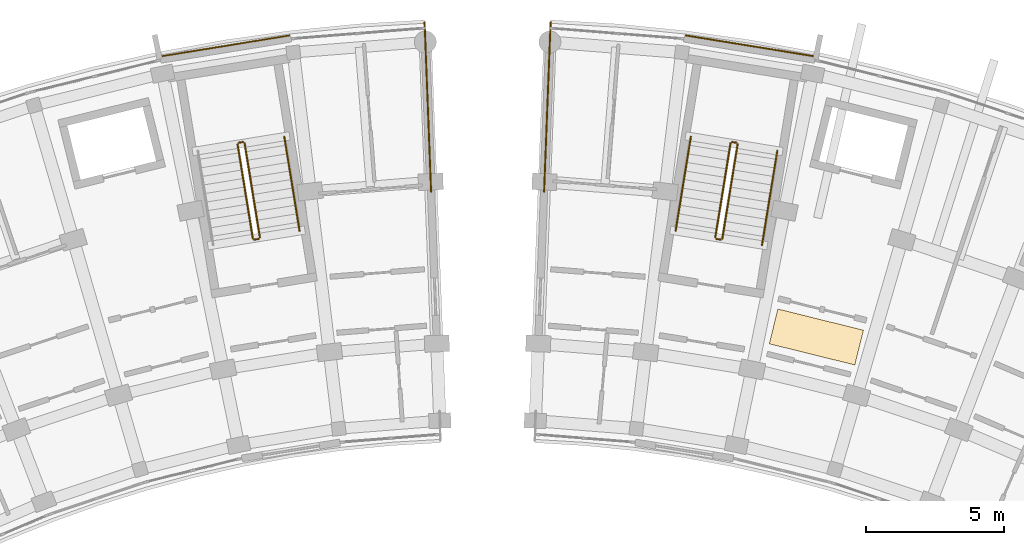
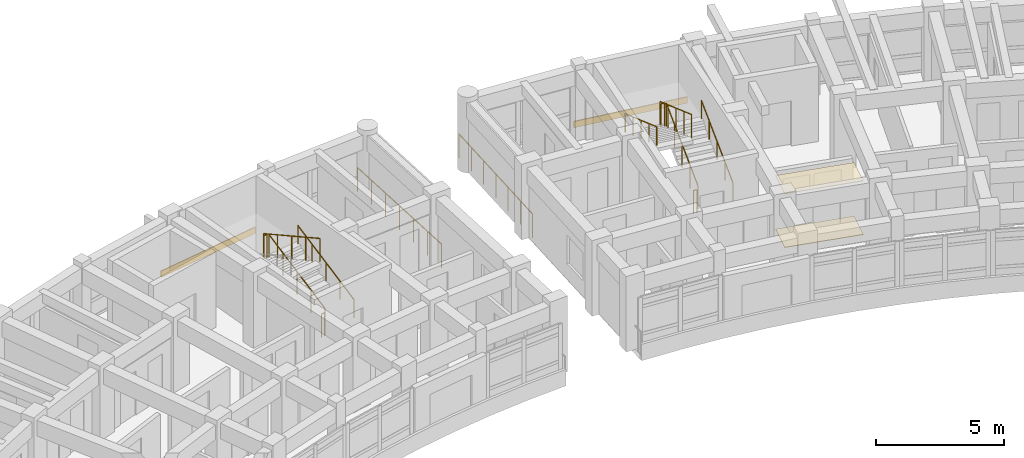
# One storey, part 76 of 83: 13 railings, 4 coverings.
"""IFC4 building model written with IfcOpenShell, lengths in metres."""

from ifc_helpers import new_model, si_unit, direction, frame, origin, origin_2d, place, context, subcontext, project, spatial, rectangle, circle, extrude, material, layer, layer_set, type_object, element, save


model = new_model("IFC4")

# Units and contexts
model_context = context("Model", 3, precision=1e-05, world=origin(), true_north=direction((0.0, 1.0)))
body_context = subcontext(model_context, "Body", "Model", "MODEL_VIEW")
ifc_project = project(units=[si_unit("LENGTHUNIT", "METRE"), si_unit("AREAUNIT", "SQUARE_METRE"), si_unit("VOLUMEUNIT", "CUBIC_METRE"), si_unit("PLANEANGLEUNIT", "RADIAN"), si_unit("MASSUNIT", "GRAM", prefix="KILO")], contexts=[model_context])

# Site, building, storey
site_placement = place(None, origin())
site = spatial("IfcSite", under=ifc_project, at=site_placement, CompositionType="ELEMENT")
building_placement = place(site_placement, origin())
building = spatial("IfcBuilding", under=site, at=building_placement, Name="Zimvara Arc Housing Community", CompositionType="ELEMENT")
storey_placement = place(building_placement, frame((0.0, 0.0, 4.5)))
storey = spatial("IfcBuildingStorey", under=building, at=storey_placement, Name="L01", CompositionType="ELEMENT", Elevation=4.5)

# Coverings
ifc_material_1 = material(Name="Pale-Gold Anodised Aluminium Cladding", Category="aluminium")
ifc_layer_1 = layer(ifc_material_1, 0.0400390625)
ifc_layer_set_1 = layer_set([ifc_layer_1], Name="Pale-Gold Anodised Aluminium Cladding")
covering_type_1 = type_object("IfcCoveringType", Name="CLD-GOLD-01", PredefinedType="CLADDING", material=ifc_layer_set_1)
covering_1_placement = place(storey_placement, frame((35.47265625, 103.1943359375, 0.009765625), z_axis=(0.0, 0.0, 1.0), x_axis=(0.987080395872, 0.160225753504, 0.0)))
element("IfcCovering", 1, at=covering_1_placement, inside=storey, type_object=covering_type_1, Name="cld:blkA:L01:out:b8", PredefinedType="CLADDING", context=body_context, shape_type="SweptSolid", body=[
    extrude(rectangle(XDim=4.748779296875, YDim=0.0400390625, at=origin_2d()), origin(), (0.0, 0.0, 1.0), 0.300048828125),
])
ifc_material_2 = material(Name="Pale-Gold Anodised Aluminium Cladding", Category="aluminium")
ifc_layer_2 = layer(ifc_material_2, 0.044921875)
ifc_layer_set_2 = layer_set([ifc_layer_2], Name="Pale-Gold Anodised Aluminium Cladding")
covering_type_2 = type_object("IfcCoveringType", Name="CLD-GOLD-02", PredefinedType="CLADDING", material=ifc_layer_set_2)
covering_2_placement = place(storey_placement, frame((54.52783203125, 103.19677734375, 0.009765625), z_axis=(0.0, 0.0, 1.0), x_axis=(0.987080395872, -0.160225753504, 0.0)))
element("IfcCovering", 2, at=covering_2_placement, inside=storey, type_object=covering_type_2, Name="cld:blkB:L01:out:b1", PredefinedType="CLADDING", context=body_context, shape_type="SweptSolid", body=[
    extrude(rectangle(XDim=4.748779296875, YDim=0.044921875, at=origin_2d()), origin(), (0.0, 0.0, 1.0), 0.300048828125),
])
ifc_material_3 = material(Name="Perforated Acoustic Ceiling Board")
ifc_layer_3 = layer(ifc_material_3, 0.02197265625)
ifc_layer_set_3 = layer_set([ifc_layer_3], Name="Perforated Acoustic Ceiling Board")
covering_type_3 = type_object("IfcCoveringType", Name="COV-CEIL-02", PredefinedType="CEILING", material=ifc_layer_set_3)
covering_3_placement = place(storey_placement, frame((56.938232421875, 92.625, 2.55810546875), z_axis=(0.0, 0.0, 1.0), x_axis=(0.240228042477, 0.970716481578, 0.0)))
element("IfcCovering", 3, at=covering_3_placement, inside=storey, type_object=covering_type_3, Name="ceil:blkB:L01", PredefinedType="CEILING", context=body_context, shape_type="SweptSolid", body=[
    extrude(rectangle(XDim=1.300048828125, YDim=3.199951171875, at=origin_2d()), origin(), (0.0, 0.0, 1.0), 0.02197265625),
])
ifc_material_4 = material(Name="Polished Coastal Sand Terrazzo")
ifc_layer_4 = layer(ifc_material_4, 0.02392578125)
ifc_layer_set_4 = layer_set([ifc_layer_4], Name="Polished Coastal Sand Terrazzo")
covering_type_4 = type_object("IfcCoveringType", Name="COV-FLOR-02", PredefinedType="FLOORING", material=ifc_layer_set_4)
covering_4_placement = place(storey_placement, frame((56.938232421875, 92.625, 0.0), z_axis=(0.0, 0.0, 1.0), x_axis=(0.240228042477, 0.970716481578, 0.0)))
element("IfcCovering", 4, at=covering_4_placement, inside=storey, type_object=covering_type_4, Name="flor:blkB:L01", PredefinedType="FLOORING", context=body_context, shape_type="SweptSolid", body=[
    extrude(rectangle(XDim=1.300048828125, YDim=3.199951171875, at=origin_2d()), origin(), (0.0, 0.0, 1.0), 0.02392578125),
])

# Railings
ifc_material_5 = material(Name="Anodised Aluminium AW-6063", Category="aluminium")
railing_type_1 = type_object("IfcRailingType", Name="RLG-BAL-1120", PredefinedType="BALUSTRADE", material=ifc_material_5)
railing_1_placement = place(storey_placement, frame((36.732421875, 96.243896484375, 0.14990234375)))
element("IfcRailing", 5, at=railing_1_placement, inside=storey, type_object=railing_type_1, Name="L01 ST-A2 stair guard 1", PredefinedType="BALUSTRADE", context=body_context, shape_type="SweptSolid", body=[
    extrude(circle(Radius=0.02392578125, at=origin_2d()), frame((0.0, 0.0, 1.09619140625), z_axis=(-0.144659755628, 0.891177887684, 0.429971542784), x_axis=(-0.987080189956, -0.160227022054, 0.0)), (0.0, 0.0, 1.0), 3.837890625),
    extrude(circle(Radius=0.02099609375, at=origin_2d()), origin(), (0.0, 0.0, 1.0), 1.072021484375),
    extrude(circle(Radius=0.02099609375, at=origin_2d()), frame((-0.138671875, 0.85498046875, 0.41259765625)), (0.0, 0.0, 1.0), 1.072021484375),
    extrude(circle(Radius=0.02099609375, at=origin_2d()), frame((-0.277587890625, 1.7099609375, 0.8251953125)), (0.0, 0.0, 1.0), 1.072021484375),
    extrude(circle(Radius=0.02099609375, at=origin_2d()), frame((-0.41650390625, 2.565185546875, 1.237548828125)), (0.0, 0.0, 1.0), 1.072021484375),
    extrude(circle(Radius=0.02099609375, at=origin_2d()), frame((-0.55517578125, 3.420166015625, 1.650146484375)), (0.0, 0.0, 1.0), 1.072021484375),
])
railing_2_placement = place(storey_placement, frame((36.119873046875, 99.705322265625, 1.800048828125)))
element("IfcRailing", 6, at=railing_2_placement, inside=storey, type_object=railing_type_1, Name="L01 ST-A2 stair guard 2", PredefinedType="BALUSTRADE", context=body_context, shape_type="SweptSolid", body=[
    extrude(circle(Radius=0.02392578125, at=origin_2d()), frame((0.0, 0.0, 1.09619140625), z_axis=(-0.987085924886, -0.160191687964, 0.0), x_axis=(0.160191687964, -0.987085924886, 0.0)), (0.0, 0.0, 1.0), 0.159912109375),
    extrude(circle(Radius=0.02099609375, at=origin_2d()), origin(), (0.0, 0.0, 1.0), 1.072021484375),
    extrude(circle(Radius=0.02099609375, at=origin_2d()), frame((-0.157958984375, -0.025634765625, 0.0)), (0.0, 0.0, 1.0), 1.072021484375),
])
railing_3_placement = place(storey_placement, frame((35.920654296875, 99.622314453125, 1.949951171875)))
element("IfcRailing", 7, at=railing_3_placement, inside=storey, type_object=railing_type_1, Name="L01 ST-A2 stair guard 3", PredefinedType="BALUSTRADE", context=body_context, shape_type="SweptSolid", body=[
    extrude(circle(Radius=0.02392578125, at=origin_2d()), frame((0.0, 0.0, 1.09619140625), z_axis=(0.144659755628, -0.891177887684, 0.429971542784), x_axis=(0.987080189956, 0.160227022054, 0.0)), (0.0, 0.0, 1.0), 3.837890625),
    extrude(circle(Radius=0.02099609375, at=origin_2d()), origin(), (0.0, 0.0, 1.0), 1.072021484375),
    extrude(circle(Radius=0.02099609375, at=origin_2d()), frame((0.138671875, -0.85498046875, 0.41259765625)), (0.0, 0.0, 1.0), 1.072021484375),
    extrude(circle(Radius=0.02099609375, at=origin_2d()), frame((0.277587890625, -1.7099609375, 0.8251953125)), (0.0, 0.0, 1.0), 1.072021484375),
    extrude(circle(Radius=0.02099609375, at=origin_2d()), frame((0.41650390625, -2.565185546875, 1.237548828125)), (0.0, 0.0, 1.0), 1.072021484375),
    extrude(circle(Radius=0.02099609375, at=origin_2d()), frame((0.55517578125, -3.420166015625, 1.650146484375)), (0.0, 0.0, 1.0), 1.072021484375),
])
railing_4_placement = place(storey_placement, frame((36.691162109375, 96.1865234375, 0.0)))
element("IfcRailing", 8, at=railing_4_placement, inside=storey, type_object=railing_type_1, Name="L01 ST-A2 stair guard 4", PredefinedType="BALUSTRADE", context=body_context, shape_type="SweptSolid", body=[
    extrude(circle(Radius=0.02392578125, at=origin_2d()), frame((0.0, 0.0, 1.09619140625), z_axis=(-0.987085924886, -0.160191687964, 0.0), x_axis=(0.160191687964, -0.987085924886, 0.0)), (0.0, 0.0, 1.0), 0.159912109375),
    extrude(circle(Radius=0.02099609375, at=origin_2d()), origin(), (0.0, 0.0, 1.0), 1.072021484375),
    extrude(circle(Radius=0.02099609375, at=origin_2d()), frame((-0.157958984375, -0.025634765625, 0.0)), (0.0, 0.0, 1.0), 1.072021484375),
])
railing_5_placement = place(storey_placement, frame((53.524169921875, 96.2021484375, 0.14990234375)))
element("IfcRailing", 9, at=railing_5_placement, inside=storey, type_object=railing_type_1, Name="L01 ST-B1 stair guard 1", PredefinedType="BALUSTRADE", context=body_context, shape_type="SweptSolid", body=[
    extrude(circle(Radius=0.02392578125, at=origin_2d()), frame((0.0, 0.0, 1.09619140625), z_axis=(0.144659755628, 0.891177887684, 0.429971542784), x_axis=(-0.987080189956, 0.160227022054, 0.0)), (0.0, 0.0, 1.0), 3.837890625),
    extrude(circle(Radius=0.02099609375, at=origin_2d()), origin(), (0.0, 0.0, 1.0), 1.072021484375),
    extrude(circle(Radius=0.02099609375, at=origin_2d()), frame((0.138671875, 0.85498046875, 0.41259765625)), (0.0, 0.0, 1.0), 1.072021484375),
    extrude(circle(Radius=0.02099609375, at=origin_2d()), frame((0.277587890625, 1.7099609375, 0.8251953125)), (0.0, 0.0, 1.0), 1.072021484375),
    extrude(circle(Radius=0.02099609375, at=origin_2d()), frame((0.41650390625, 2.565185546875, 1.237548828125)), (0.0, 0.0, 1.0), 1.072021484375),
    extrude(circle(Radius=0.02099609375, at=origin_2d()), frame((0.55517578125, 3.420166015625, 1.650146484375)), (0.0, 0.0, 1.0), 1.072021484375),
])
railing_6_placement = place(storey_placement, frame((54.0380859375, 99.6796875, 1.800048828125)))
element("IfcRailing", 10, at=railing_6_placement, inside=storey, type_object=railing_type_1, Name="L01 ST-B1 stair guard 2", PredefinedType="BALUSTRADE", context=body_context, shape_type="SweptSolid", body=[
    extrude(circle(Radius=0.02392578125, at=origin_2d()), frame((0.0, 0.0, 1.09619140625), z_axis=(-0.987085924886, 0.160191687964, 0.0), x_axis=(-0.160191687964, -0.987085924886, 0.0)), (0.0, 0.0, 1.0), 0.159912109375),
    extrude(circle(Radius=0.02099609375, at=origin_2d()), origin(), (0.0, 0.0, 1.0), 1.072021484375),
    extrude(circle(Radius=0.02099609375, at=origin_2d()), frame((-0.157958984375, 0.025634765625, 0.0)), (0.0, 0.0, 1.0), 1.072021484375),
])
railing_7_placement = place(storey_placement, frame((53.82275390625, 99.6640625, 1.949951171875)))
element("IfcRailing", 11, at=railing_7_placement, inside=storey, type_object=railing_type_1, Name="L01 ST-B1 stair guard 3", PredefinedType="BALUSTRADE", context=body_context, shape_type="SweptSolid", body=[
    extrude(circle(Radius=0.02392578125, at=origin_2d()), frame((0.0, 0.0, 1.09619140625), z_axis=(-0.144659755628, -0.891177887684, 0.429971542784), x_axis=(0.987080189956, -0.160227022054, 0.0)), (0.0, 0.0, 1.0), 3.837890625),
    extrude(circle(Radius=0.02099609375, at=origin_2d()), origin(), (0.0, 0.0, 1.0), 1.072021484375),
    extrude(circle(Radius=0.02099609375, at=origin_2d()), frame((-0.138671875, -0.85498046875, 0.41259765625)), (0.0, 0.0, 1.0), 1.072021484375),
    extrude(circle(Radius=0.02099609375, at=origin_2d()), frame((-0.277587890625, -1.7099609375, 0.8251953125)), (0.0, 0.0, 1.0), 1.072021484375),
    extrude(circle(Radius=0.02099609375, at=origin_2d()), frame((-0.41650390625, -2.565185546875, 1.237548828125)), (0.0, 0.0, 1.0), 1.072021484375),
    extrude(circle(Radius=0.02099609375, at=origin_2d()), frame((-0.55517578125, -3.420166015625, 1.650146484375)), (0.0, 0.0, 1.0), 1.072021484375),
])
railing_8_placement = place(storey_placement, frame((53.466796875, 96.160888671875, 0.0)))
element("IfcRailing", 12, at=railing_8_placement, inside=storey, type_object=railing_type_1, Name="L01 ST-B1 stair guard 4", PredefinedType="BALUSTRADE", context=body_context, shape_type="SweptSolid", body=[
    extrude(circle(Radius=0.02392578125, at=origin_2d()), frame((0.0, 0.0, 1.09619140625), z_axis=(-0.987085924886, 0.160191687964, 0.0), x_axis=(-0.160191687964, -0.987085924886, 0.0)), (0.0, 0.0, 1.0), 0.159912109375),
    extrude(circle(Radius=0.02099609375, at=origin_2d()), origin(), (0.0, 0.0, 1.0), 1.072021484375),
    extrude(circle(Radius=0.02099609375, at=origin_2d()), frame((-0.157958984375, 0.025634765625, 0.0)), (0.0, 0.0, 1.0), 1.072021484375),
])
ifc_material_6 = material(Name="Anodised Aluminium AW-6063", Category="aluminium")
railing_type_2 = type_object("IfcRailingType", Name="RLG-BAL-1150", PredefinedType="BALUSTRADE", material=ifc_material_6)
railing_9_placement = place(storey_placement, frame((42.948486328125, 97.900634765625, 0.0)))
element("IfcRailing", 13, at=railing_9_placement, inside=storey, type_object=railing_type_2, Name="rlg:blkA:L01:gable_out:gN", PredefinedType="BALUSTRADE", context=body_context, shape_type="SweptSolid", body=[
    extrude(circle(Radius=0.02392578125, at=origin_2d()), frame((0.0, 0.0, 1.1259765625), z_axis=(-0.038364627964, 0.99926380667, 0.0), x_axis=(-0.99926380667, -0.038364627964, 0.0)), (0.0, 0.0, 1.0), 6.16015625),
    extrude(circle(Radius=0.02099609375, at=origin_2d()), origin(), (0.0, 0.0, 1.0), 1.101806640625),
    extrude(circle(Radius=0.02099609375, at=origin_2d()), frame((-0.039306640625, 1.02587890625, 0.0)), (0.0, 0.0, 1.0), 1.101806640625),
    extrude(circle(Radius=0.02099609375, at=origin_2d()), frame((-0.078857421875, 2.0517578125, 0.0)), (0.0, 0.0, 1.0), 1.101806640625),
    extrude(circle(Radius=0.02099609375, at=origin_2d()), frame((-0.1181640625, 3.07763671875, 0.0)), (0.0, 0.0, 1.0), 1.101806640625),
    extrude(circle(Radius=0.02099609375, at=origin_2d()), frame((-0.157470703125, 4.103759765625, 0.0)), (0.0, 0.0, 1.0), 1.101806640625),
    extrude(circle(Radius=0.02099609375, at=origin_2d()), frame((-0.197021484375, 5.129638671875, 0.0)), (0.0, 0.0, 1.0), 1.101806640625),
    extrude(circle(Radius=0.02099609375, at=origin_2d()), frame((-0.236328125, 6.155517578125, 0.0)), (0.0, 0.0, 1.0), 1.101806640625),
])
railing_10_placement = place(storey_placement, frame((47.051513671875, 97.900634765625, 0.0)))
element("IfcRailing", 14, at=railing_10_placement, inside=storey, type_object=railing_type_2, Name="rlg:blkB:L01:gable_out:g0", PredefinedType="BALUSTRADE", context=body_context, shape_type="SweptSolid", body=[
    extrude(circle(Radius=0.02392578125, at=origin_2d()), frame((0.0, 0.0, 1.1259765625), z_axis=(0.038364627964, 0.99926380667, 0.0), x_axis=(-0.99926380667, 0.038364627964, 0.0)), (0.0, 0.0, 1.0), 6.16015625),
    extrude(circle(Radius=0.02099609375, at=origin_2d()), origin(), (0.0, 0.0, 1.0), 1.101806640625),
    extrude(circle(Radius=0.02099609375, at=origin_2d()), frame((0.039306640625, 1.02587890625, 0.0)), (0.0, 0.0, 1.0), 1.101806640625),
    extrude(circle(Radius=0.02099609375, at=origin_2d()), frame((0.078857421875, 2.0517578125, 0.0)), (0.0, 0.0, 1.0), 1.101806640625),
    extrude(circle(Radius=0.02099609375, at=origin_2d()), frame((0.1181640625, 3.07763671875, 0.0)), (0.0, 0.0, 1.0), 1.101806640625),
    extrude(circle(Radius=0.02099609375, at=origin_2d()), frame((0.157470703125, 4.103759765625, 0.0)), (0.0, 0.0, 1.0), 1.101806640625),
    extrude(circle(Radius=0.02099609375, at=origin_2d()), frame((0.197021484375, 5.129638671875, 0.0)), (0.0, 0.0, 1.0), 1.101806640625),
    extrude(circle(Radius=0.02099609375, at=origin_2d()), frame((0.236328125, 6.155517578125, 0.0)), (0.0, 0.0, 1.0), 1.101806640625),
])
ifc_material_7 = material(Name="Anodised Aluminium AW-6063", Category="aluminium")
railing_type_3 = type_object("IfcRailingType", Name="RLG-HND-900", PredefinedType="HANDRAIL", material=ifc_material_7)
railing_11_placement = place(storey_placement, frame((38.173583984375, 96.477783203125, 0.14990234375)))
element("IfcRailing", 15, at=railing_11_placement, inside=storey, type_object=railing_type_3, Name="L01 ST-A2 stair handrail 1", PredefinedType="HANDRAIL", context=body_context, shape_type="SweptSolid", body=[
    extrude(circle(Radius=0.02392578125, at=origin_2d()), frame((0.0, 0.0, 0.8759765625), z_axis=(-0.144659755628, 0.891177887684, 0.429971542784), x_axis=(-0.987080189956, -0.160227022054, 0.0)), (0.0, 0.0, 1.0), 3.837890625),
    extrude(circle(Radius=0.02099609375, at=origin_2d()), origin(), (0.0, 0.0, 1.0), 0.851806640625),
    extrude(circle(Radius=0.02099609375, at=origin_2d()), frame((-0.138671875, 0.85498046875, 0.41259765625)), (0.0, 0.0, 1.0), 0.851806640625),
    extrude(circle(Radius=0.02099609375, at=origin_2d()), frame((-0.277587890625, 1.7099609375, 0.8251953125)), (0.0, 0.0, 1.0), 0.851806640625),
    extrude(circle(Radius=0.02099609375, at=origin_2d()), frame((-0.41650390625, 2.565185546875, 1.237548828125)), (0.0, 0.0, 1.0), 0.851806640625),
    extrude(circle(Radius=0.02099609375, at=origin_2d()), frame((-0.55517578125, 3.420166015625, 1.650146484375)), (0.0, 0.0, 1.0), 0.851806640625),
])
railing_12_placement = place(storey_placement, frame((54.96533203125, 95.96826171875, 0.14990234375)))
element("IfcRailing", 16, at=railing_12_placement, inside=storey, type_object=railing_type_3, Name="L01 ST-B1 stair handrail 1", PredefinedType="HANDRAIL", context=body_context, shape_type="SweptSolid", body=[
    extrude(circle(Radius=0.02392578125, at=origin_2d()), frame((0.0, 0.0, 0.8759765625), z_axis=(0.144659755628, 0.891177887684, 0.429971542784), x_axis=(-0.987080189956, 0.160227022054, 0.0)), (0.0, 0.0, 1.0), 3.837890625),
    extrude(circle(Radius=0.02099609375, at=origin_2d()), origin(), (0.0, 0.0, 1.0), 0.851806640625),
    extrude(circle(Radius=0.02099609375, at=origin_2d()), frame((0.138671875, 0.85498046875, 0.41259765625)), (0.0, 0.0, 1.0), 0.851806640625),
    extrude(circle(Radius=0.02099609375, at=origin_2d()), frame((0.277587890625, 1.7099609375, 0.8251953125)), (0.0, 0.0, 1.0), 0.851806640625),
    extrude(circle(Radius=0.02099609375, at=origin_2d()), frame((0.41650390625, 2.565185546875, 1.237548828125)), (0.0, 0.0, 1.0), 0.851806640625),
    extrude(circle(Radius=0.02099609375, at=origin_2d()), frame((0.55517578125, 3.420166015625, 1.650146484375)), (0.0, 0.0, 1.0), 0.851806640625),
])
railing_13_placement = place(storey_placement, frame((52.381591796875, 99.89794921875, 1.949951171875)))
element("IfcRailing", 17, at=railing_13_placement, inside=storey, type_object=railing_type_3, Name="L01 ST-B1 stair handrail 2", PredefinedType="HANDRAIL", context=body_context, shape_type="SweptSolid", body=[
    extrude(circle(Radius=0.02392578125, at=origin_2d()), frame((0.0, 0.0, 0.8759765625), z_axis=(-0.144659755628, -0.891177887684, 0.429971542784), x_axis=(0.987080189956, -0.160227022054, 0.0)), (0.0, 0.0, 1.0), 3.837890625),
    extrude(circle(Radius=0.02099609375, at=origin_2d()), origin(), (0.0, 0.0, 1.0), 0.851806640625),
    extrude(circle(Radius=0.02099609375, at=origin_2d()), frame((-0.138671875, -0.85498046875, 0.41259765625)), (0.0, 0.0, 1.0), 0.851806640625),
    extrude(circle(Radius=0.02099609375, at=origin_2d()), frame((-0.277587890625, -1.7099609375, 0.8251953125)), (0.0, 0.0, 1.0), 0.851806640625),
    extrude(circle(Radius=0.02099609375, at=origin_2d()), frame((-0.41650390625, -2.565185546875, 1.237548828125)), (0.0, 0.0, 1.0), 0.851806640625),
    extrude(circle(Radius=0.02099609375, at=origin_2d()), frame((-0.55517578125, -3.420166015625, 1.650146484375)), (0.0, 0.0, 1.0), 0.851806640625),
])

save(model, "model.ifc")
